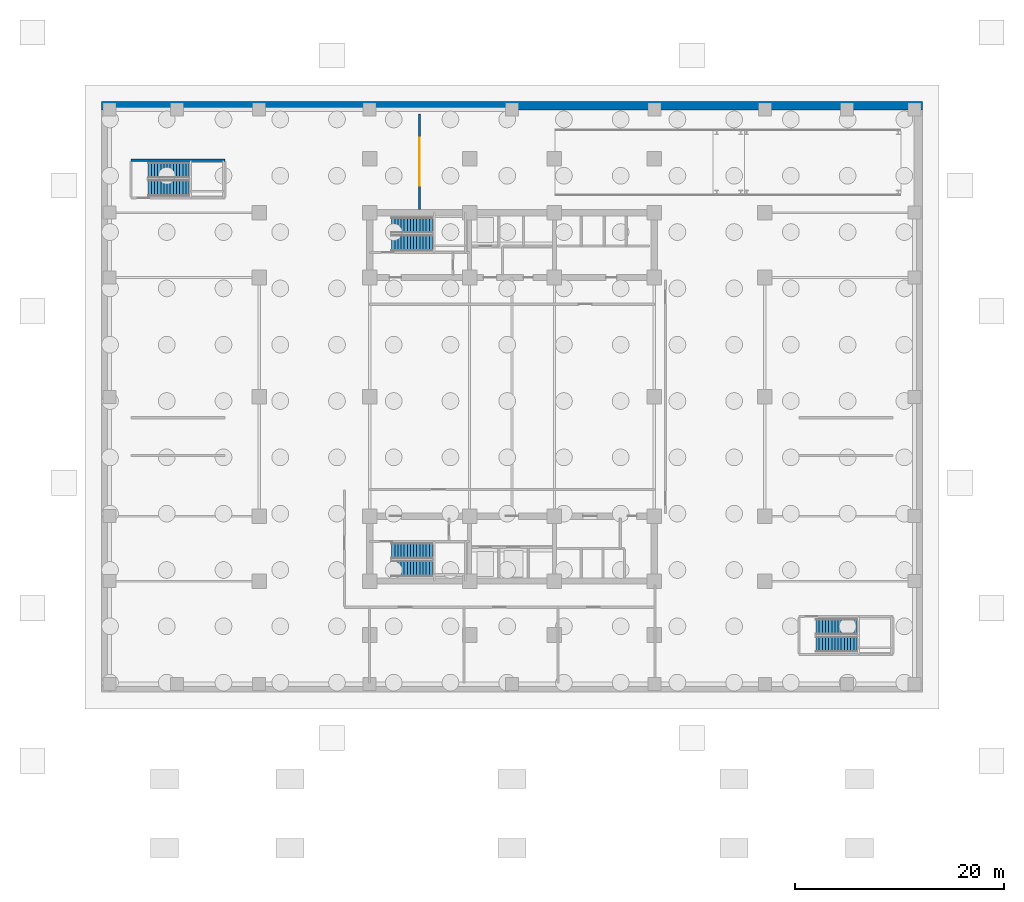
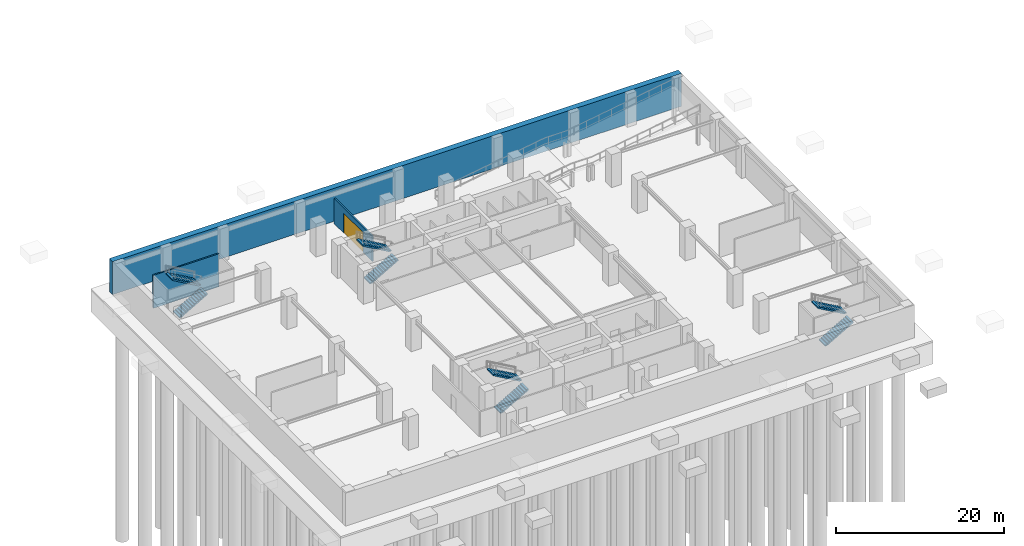
# One storey, part 9 of 13: 8 stair flights, 3 walls, 1 door, 1 opening, 4 elements without a shape of their own.
"""IFC4 building model written with IfcOpenShell, lengths in metres."""

from ifc_helpers import new_model, si_unit, direction, frame, frame_2d, origin, place, context, subcontext, project, spatial, polyline, rectangle, outline, extrude, material, layer, layer_set, type_object, element, fill, aggregate, save


model = new_model("IFC4")

# Units and contexts
model_context = context("Model", 3, precision=1e-05, world=origin(), true_north=direction((0.0, 1.0)))
body_context = subcontext(model_context, "Body", "Model", "MODEL_VIEW")
ifc_project = project(units=[si_unit("LENGTHUNIT", "METRE"), si_unit("AREAUNIT", "SQUARE_METRE"), si_unit("VOLUMEUNIT", "CUBIC_METRE"), si_unit("PLANEANGLEUNIT", "RADIAN"), si_unit("MASSUNIT", "GRAM", prefix="KILO")], contexts=[model_context])

# Site, building, storey
site_placement = place(None, origin())
site = spatial("IfcSite", under=ifc_project, at=site_placement, CompositionType="ELEMENT")
building_placement = place(site_placement, origin())
building = spatial("IfcBuilding", under=site, at=building_placement, Name="Svetorya Sky Lyceum", CompositionType="ELEMENT")
storey_placement = place(building_placement, frame((0.0, 0.0, -4.800048828125)))
storey = spatial("IfcBuildingStorey", under=building, at=storey_placement, Name="B01", CompositionType="ELEMENT", Elevation=-4.800048828125)

# Wall
ifc_material_1 = material(Name="Concrete C50/60", Category="concrete")
ifc_layer_1 = layer(ifc_material_1, 0.800048828125)
ifc_layer_set_1 = layer_set([ifc_layer_1], Name="Concrete C50/60")
wall_type_1 = type_object("IfcWallType", Name="WL-DIAPH-800", PredefinedType="USERDEFINED", material=ifc_layer_set_1)
wall_1_placement = place(storey_placement, frame((78.39990234375, 56.0, 0.0), z_axis=(0.0, 0.0, 1.0), x_axis=(-1.0, 0.0, 0.0)))
element("IfcWall", 1, at=wall_1_placement, inside=storey, type_object=wall_type_1, Name="Basement Diaphragm Wall N", ObjectType="RETAININGWALL", PredefinedType="USERDEFINED", context=body_context, shape_type="SweptSolid", body=[
    extrude(rectangle(XDim=78.39990234375, YDim=0.800048828125, at=frame_2d((39.199951171875, 0.0))), origin(), (0.0, 0.0, 1.0), 4.800048828125),
])

# Wall, opening, door
ifc_material_2 = material(Name="Autoclaved cellular masonry blockwork with gypsum plaster", Category="masonry")
ifc_layer_2 = layer(ifc_material_2, 0.199951171875)
ifc_layer_set_2 = layer_set([ifc_layer_2], Name="Autoclaved cellular masonry blockwork with gypsum plaster")
wall_type_2 = type_object("IfcWallType", Name="WL-PART-200", PredefinedType="PARTITIONING", material=ifc_layer_set_2)
wall_2_placement = place(storey_placement, frame((30.375, 46.10009765625, 0.0), z_axis=(0.0, 0.0, 1.0), x_axis=(0.0, 1.0, 0.0)))
wall_2 = element("IfcWall", 2, at=wall_2_placement, inside=storey, type_object=wall_type_2, Name="B01 Interior Partition B01-VG-PORTAL", PredefinedType="PARTITIONING", context=body_context, shape_type="SweptSolid", body=[
    extrude(rectangle(XDim=9.099853515625, YDim=0.199951171875, at=frame_2d((4.5498046875, 0.0))), origin(), (0.0, 0.0, 1.0), 3.670166015625),
])
opening_placement = place(wall_2_placement, frame((2.25, 0.0, 0.0)))
opening = element("IfcOpeningElement", 3, at=opening_placement, cuts=wall_2, Name="Opening VG-01", PredefinedType="OPENING", context=body_context, shape_type="SweptSolid", body=[
    extrude(rectangle(XDim=4.60009765625, YDim=2.89990234375, at=frame_2d((2.300048828125, 1.449951171875))), frame((0.0, 0.10986328125, 0.0), z_axis=(0.0, -1.0, 0.0), x_axis=(1.0, 0.0, 0.0)), (0.0, 0.0, 1.0), 0.219970703125),
])
ifc_material_3 = material(Name="Insulated galvanized steel vehicle roller shutter", Category="steel")
door_type = type_object("IfcDoorType", Name="DR-VEH-4600", OperationType="ROLLINGUP", PredefinedType="GATE", material=ifc_material_3)
door_placement = place(opening_placement, origin())
door = element("IfcDoor", 4, at=door_placement, inside=storey, type_object=door_type, Name="Basement Car Park Vehicle Shutter Gate VG-01", OperationType="ROLLINGUP", OverallHeight=2.89990234375, OverallWidth=4.60009765625, PredefinedType="GATE", context=body_context, shape_type="SweptSolid", body=[
    extrude(rectangle(XDim=4.60009765625, YDim=2.89990234375, at=frame_2d((2.300048828125, 1.449951171875))), frame((0.0, 0.02490234375, 0.0), z_axis=(0.0, -1.0, 0.0), x_axis=(1.0, 0.0, 0.0)), (0.0, 0.0, 1.0), 0.050048828125),
])
fill(opening, door)

# Wall
ifc_layer_3 = layer(ifc_material_1, 0.199951171875)
ifc_layer_set_3 = layer_set([ifc_layer_3], Name="Concrete C50/60")
wall_type_3 = type_object("IfcWallType", Name="WL-SHW-200", PredefinedType="SHEAR", material=ifc_layer_set_3)
wall_3_placement = place(storey_placement, frame((11.800048828125, 50.800048828125, 0.0), z_axis=(0.0, 0.0, 1.0), x_axis=(-1.0, 0.0, 0.0)))
element("IfcWall", 5, at=wall_3_placement, inside=storey, type_object=wall_type_3, Name="B01 Structural Stair Shaft Wall STB-N-B1", PredefinedType="SHEAR", context=body_context, shape_type="SweptSolid", body=[
    extrude(rectangle(XDim=9.0, YDim=0.199951171875, at=frame_2d((4.5, 0.0))), origin(), (0.0, 0.0, 1.0), 4.800048828125),
])

# Stair, stair flights
ifc_material_4 = material(Name="Concrete C40/50", Category="concrete")
stair_type_1 = type_object("IfcStairType", Name="STR-ST-B1", PredefinedType="HALF_TURN_STAIR", material=ifc_material_4)
stair_1_placement = place(storey_placement, origin())
stair_1 = element("IfcStair", 6, at=stair_1_placement, inside=storey, type_object=stair_type_1, Name="B01 West Basement Dedicated Exit Stair", PredefinedType="HALF_TURN_STAIR")
stair_flight_type_1 = type_object("IfcStairFlightType", Name="SFL-ST-B1", PredefinedType="STRAIGHT", material=ifc_material_4)
stair_flight_1_placement = place(storey_placement, frame((4.449951171875, 48.14990234375, 0.0), z_axis=(0.0, 0.0, 1.0), x_axis=(1.0, 0.0, 0.0)))
stair_flight_1 = element("IfcStairFlight", 7, at=stair_flight_1_placement, type_object=stair_flight_type_1, Name="ST-B1 flight 1", NumberOfRisers=14, NumberOfTreads=13, PredefinedType="STRAIGHT", RiserHeight=0.171428571, TreadLength=0.3, context=body_context, shape_type="SweptSolid", body=[
    extrude(outline(polyline([(0.0, 0.0), (0.0, 0.17138671875), (0.300048828125, 0.17138671875), (0.300048828125, 0.3427734375), (0.60009765625, 0.3427734375), (0.60009765625, 0.514404296875), (0.89990234375, 0.514404296875), (0.89990234375, 0.685791015625), (1.199951171875, 0.685791015625), (1.199951171875, 0.857177734375), (1.5, 0.857177734375), (1.5, 1.028564453125), (1.800048828125, 1.028564453125), (1.800048828125, 1.199951171875), (2.10009765625, 1.199951171875), (2.10009765625, 1.371337890625), (2.39990234375, 1.371337890625), (2.39990234375, 1.54296875), (2.699951171875, 1.54296875), (2.699951171875, 1.71435546875), (3.0, 1.71435546875), (3.0, 1.8857421875), (3.300048828125, 1.8857421875), (3.300048828125, 2.05712890625), (3.60009765625, 2.05712890625), (3.60009765625, 2.228515625), (3.89990234375, 2.228515625), (3.89990234375, 2.39990234375), (3.89990234375, 2.055908203125), (0.30224609375, 0.0), (0.0, 0.0)])), frame((0.0, 0.75, 0.0), z_axis=(0.0, -1.0, 0.0), x_axis=(1.0, 0.0, 0.0)), (0.0, 0.0, 1.0), 1.5),
])
stair_flight_2_placement = place(storey_placement, frame((8.35009765625, 49.85009765625, 2.400146484375), z_axis=(0.0, 0.0, 1.0), x_axis=(-1.0, 0.0, 0.0)))
stair_flight_2 = element("IfcStairFlight", 8, at=stair_flight_2_placement, type_object=stair_flight_type_1, Name="ST-B1 flight 2", NumberOfRisers=14, NumberOfTreads=13, PredefinedType="STRAIGHT", RiserHeight=0.171428571, TreadLength=0.3, context=body_context, shape_type="SweptSolid", body=[
    extrude(outline(polyline([(0.0, 0.0), (0.0, 0.17138671875), (0.300048828125, 0.17138671875), (0.300048828125, 0.3427734375), (0.60009765625, 0.3427734375), (0.60009765625, 0.514404296875), (0.89990234375, 0.514404296875), (0.89990234375, 0.685791015625), (1.199951171875, 0.685791015625), (1.199951171875, 0.857177734375), (1.5, 0.857177734375), (1.5, 1.028564453125), (1.800048828125, 1.028564453125), (1.800048828125, 1.199951171875), (2.10009765625, 1.199951171875), (2.10009765625, 1.371337890625), (2.39990234375, 1.371337890625), (2.39990234375, 1.54296875), (2.699951171875, 1.54296875), (2.699951171875, 1.71435546875), (3.0, 1.71435546875), (3.0, 1.8857421875), (3.300048828125, 1.8857421875), (3.300048828125, 2.05712890625), (3.60009765625, 2.05712890625), (3.60009765625, 2.228515625), (3.89990234375, 2.228515625), (3.89990234375, 2.39990234375), (3.89990234375, 2.055908203125), (0.30224609375, 0.0), (0.0, 0.0)])), frame((0.0, 0.75, 0.0), z_axis=(0.0, -1.0, 0.0), x_axis=(1.0, 0.0, 0.0)), (0.0, 0.0, 1.0), 1.5),
])
aggregate(stair_1, [stair_flight_1, stair_flight_2])

stair_type_2 = type_object("IfcStairType", Name="STR-ST-B2", PredefinedType="HALF_TURN_STAIR", material=ifc_material_4)
stair_2_placement = place(storey_placement, origin())
stair_2 = element("IfcStair", 9, at=stair_2_placement, inside=storey, type_object=stair_type_2, Name="B01 East Basement Dedicated Exit Stair", PredefinedType="HALF_TURN_STAIR")
stair_flight_type_2 = type_object("IfcStairFlightType", Name="SFL-ST-B2", PredefinedType="STRAIGHT", material=ifc_material_4)
stair_flight_3_placement = place(storey_placement, frame((68.25, 4.550048828125, 0.0), z_axis=(0.0, 0.0, 1.0), x_axis=(1.0, 0.0, 0.0)))
stair_flight_3 = element("IfcStairFlight", 10, at=stair_flight_3_placement, type_object=stair_flight_type_2, Name="ST-B2 flight 1", NumberOfRisers=14, NumberOfTreads=13, PredefinedType="STRAIGHT", RiserHeight=0.171428571, TreadLength=0.3, context=body_context, shape_type="SweptSolid", body=[
    extrude(outline(polyline([(0.0, 0.0), (0.0, 0.17138671875), (0.300048828125, 0.17138671875), (0.300048828125, 0.3427734375), (0.60009765625, 0.3427734375), (0.60009765625, 0.514404296875), (0.89990234375, 0.514404296875), (0.89990234375, 0.685791015625), (1.199951171875, 0.685791015625), (1.199951171875, 0.857177734375), (1.5, 0.857177734375), (1.5, 1.028564453125), (1.800048828125, 1.028564453125), (1.800048828125, 1.199951171875), (2.10009765625, 1.199951171875), (2.10009765625, 1.371337890625), (2.39990234375, 1.371337890625), (2.39990234375, 1.54296875), (2.699951171875, 1.54296875), (2.699951171875, 1.71435546875), (3.0, 1.71435546875), (3.0, 1.8857421875), (3.300048828125, 1.8857421875), (3.300048828125, 2.05712890625), (3.60009765625, 2.05712890625), (3.60009765625, 2.228515625), (3.89990234375, 2.228515625), (3.89990234375, 2.39990234375), (3.89990234375, 2.055908203125), (0.30224609375, 0.0), (0.0, 0.0)])), frame((0.0, 0.75, 0.0), z_axis=(0.0, -1.0, 0.0), x_axis=(1.0, 0.0, 0.0)), (0.0, 0.0, 1.0), 1.5),
])
stair_flight_4_placement = place(storey_placement, frame((72.14990234375, 6.25, 2.400146484375), z_axis=(0.0, 0.0, 1.0), x_axis=(-1.0, 0.0, 0.0)))
stair_flight_4 = element("IfcStairFlight", 11, at=stair_flight_4_placement, type_object=stair_flight_type_2, Name="ST-B2 flight 2", NumberOfRisers=14, NumberOfTreads=13, PredefinedType="STRAIGHT", RiserHeight=0.171428571, TreadLength=0.3, context=body_context, shape_type="SweptSolid", body=[
    extrude(outline(polyline([(0.0, 0.0), (0.0, 0.17138671875), (0.300048828125, 0.17138671875), (0.300048828125, 0.3427734375), (0.60009765625, 0.3427734375), (0.60009765625, 0.514404296875), (0.89990234375, 0.514404296875), (0.89990234375, 0.685791015625), (1.199951171875, 0.685791015625), (1.199951171875, 0.857177734375), (1.5, 0.857177734375), (1.5, 1.028564453125), (1.800048828125, 1.028564453125), (1.800048828125, 1.199951171875), (2.10009765625, 1.199951171875), (2.10009765625, 1.371337890625), (2.39990234375, 1.371337890625), (2.39990234375, 1.54296875), (2.699951171875, 1.54296875), (2.699951171875, 1.71435546875), (3.0, 1.71435546875), (3.0, 1.8857421875), (3.300048828125, 1.8857421875), (3.300048828125, 2.05712890625), (3.60009765625, 2.05712890625), (3.60009765625, 2.228515625), (3.89990234375, 2.228515625), (3.89990234375, 2.39990234375), (3.89990234375, 2.055908203125), (0.30224609375, 0.0), (0.0, 0.0)])), frame((0.0, 0.75, 0.0), z_axis=(0.0, -1.0, 0.0), x_axis=(1.0, 0.0, 0.0)), (0.0, 0.0, 1.0), 1.5),
])
aggregate(stair_2, [stair_flight_3, stair_flight_4])

stair_type_3 = type_object("IfcStairType", Name="STR-ST-N", PredefinedType="HALF_TURN_STAIR", material=ifc_material_4)
stair_3_placement = place(storey_placement, origin())
stair_3 = element("IfcStair", 12, at=stair_3_placement, inside=storey, type_object=stair_type_3, Name="B01 North Core Smoke-Free Exit Stair N3", PredefinedType="HALF_TURN_STAIR")
stair_flight_type_3 = type_object("IfcStairFlightType", Name="SFL-ST-N", PredefinedType="STRAIGHT", material=ifc_material_4)
stair_flight_5_placement = place(storey_placement, frame((27.699951171875, 42.89990234375, 0.0), z_axis=(0.0, 0.0, 1.0), x_axis=(1.0, 0.0, 0.0)))
stair_flight_5 = element("IfcStairFlight", 13, at=stair_flight_5_placement, type_object=stair_flight_type_3, Name="ST-N flight 1", NumberOfRisers=14, NumberOfTreads=13, PredefinedType="STRAIGHT", RiserHeight=0.171428571, TreadLength=0.3, context=body_context, shape_type="SweptSolid", body=[
    extrude(outline(polyline([(0.0, 0.0), (0.0, 0.17138671875), (0.300048828125, 0.17138671875), (0.300048828125, 0.3427734375), (0.60009765625, 0.3427734375), (0.60009765625, 0.514404296875), (0.89990234375, 0.514404296875), (0.89990234375, 0.685791015625), (1.199951171875, 0.685791015625), (1.199951171875, 0.857177734375), (1.5, 0.857177734375), (1.5, 1.028564453125), (1.800048828125, 1.028564453125), (1.800048828125, 1.199951171875), (2.10009765625, 1.199951171875), (2.10009765625, 1.371337890625), (2.39990234375, 1.371337890625), (2.39990234375, 1.54296875), (2.699951171875, 1.54296875), (2.699951171875, 1.71435546875), (3.0, 1.71435546875), (3.0, 1.8857421875), (3.300048828125, 1.8857421875), (3.300048828125, 2.05712890625), (3.60009765625, 2.05712890625), (3.60009765625, 2.228515625), (3.89990234375, 2.228515625), (3.89990234375, 2.39990234375), (3.89990234375, 2.055908203125), (0.30224609375, 0.0), (0.0, 0.0)])), frame((0.0, 0.75, 0.0), z_axis=(0.0, -1.0, 0.0), x_axis=(1.0, 0.0, 0.0)), (0.0, 0.0, 1.0), 1.5),
])
stair_flight_6_placement = place(storey_placement, frame((31.60009765625, 44.60009765625, 2.400146484375), z_axis=(0.0, 0.0, 1.0), x_axis=(-1.0, 0.0, 0.0)))
stair_flight_6 = element("IfcStairFlight", 14, at=stair_flight_6_placement, type_object=stair_flight_type_3, Name="ST-N flight 2", NumberOfRisers=14, NumberOfTreads=13, PredefinedType="STRAIGHT", RiserHeight=0.171428571, TreadLength=0.3, context=body_context, shape_type="SweptSolid", body=[
    extrude(outline(polyline([(0.0, 0.0), (0.0, 0.17138671875), (0.300048828125, 0.17138671875), (0.300048828125, 0.3427734375), (0.60009765625, 0.3427734375), (0.60009765625, 0.514404296875), (0.89990234375, 0.514404296875), (0.89990234375, 0.685791015625), (1.199951171875, 0.685791015625), (1.199951171875, 0.857177734375), (1.5, 0.857177734375), (1.5, 1.028564453125), (1.800048828125, 1.028564453125), (1.800048828125, 1.199951171875), (2.10009765625, 1.199951171875), (2.10009765625, 1.371337890625), (2.39990234375, 1.371337890625), (2.39990234375, 1.54296875), (2.699951171875, 1.54296875), (2.699951171875, 1.71435546875), (3.0, 1.71435546875), (3.0, 1.8857421875), (3.300048828125, 1.8857421875), (3.300048828125, 2.05712890625), (3.60009765625, 2.05712890625), (3.60009765625, 2.228515625), (3.89990234375, 2.228515625), (3.89990234375, 2.39990234375), (3.89990234375, 2.055908203125), (0.30224609375, 0.0), (0.0, 0.0)])), frame((0.0, 0.75, 0.0), z_axis=(0.0, -1.0, 0.0), x_axis=(1.0, 0.0, 0.0)), (0.0, 0.0, 1.0), 1.5),
])
aggregate(stair_3, [stair_flight_5, stair_flight_6])

stair_type_4 = type_object("IfcStairType", Name="STR-ST-S", PredefinedType="HALF_TURN_STAIR", material=ifc_material_4)
stair_4_placement = place(storey_placement, origin())
stair_4 = element("IfcStair", 15, at=stair_4_placement, inside=storey, type_object=stair_type_4, Name="B01 South Core Smoke-Free Exit Stair N2", PredefinedType="HALF_TURN_STAIR")
stair_flight_type_4 = type_object("IfcStairFlightType", Name="SFL-ST-S", PredefinedType="STRAIGHT", material=ifc_material_4)
stair_flight_7_placement = place(storey_placement, frame((27.699951171875, 11.800048828125, 0.0), z_axis=(0.0, 0.0, 1.0), x_axis=(1.0, 0.0, 0.0)))
stair_flight_7 = element("IfcStairFlight", 16, at=stair_flight_7_placement, type_object=stair_flight_type_4, Name="ST-S flight 1", NumberOfRisers=14, NumberOfTreads=13, PredefinedType="STRAIGHT", RiserHeight=0.171428571, TreadLength=0.3, context=body_context, shape_type="SweptSolid", body=[
    extrude(outline(polyline([(0.0, 0.0), (0.0, 0.17138671875), (0.300048828125, 0.17138671875), (0.300048828125, 0.3427734375), (0.60009765625, 0.3427734375), (0.60009765625, 0.514404296875), (0.89990234375, 0.514404296875), (0.89990234375, 0.685791015625), (1.199951171875, 0.685791015625), (1.199951171875, 0.857177734375), (1.5, 0.857177734375), (1.5, 1.028564453125), (1.800048828125, 1.028564453125), (1.800048828125, 1.199951171875), (2.10009765625, 1.199951171875), (2.10009765625, 1.371337890625), (2.39990234375, 1.371337890625), (2.39990234375, 1.54296875), (2.699951171875, 1.54296875), (2.699951171875, 1.71435546875), (3.0, 1.71435546875), (3.0, 1.8857421875), (3.300048828125, 1.8857421875), (3.300048828125, 2.05712890625), (3.60009765625, 2.05712890625), (3.60009765625, 2.228515625), (3.89990234375, 2.228515625), (3.89990234375, 2.39990234375), (3.89990234375, 2.055908203125), (0.30224609375, 0.0), (0.0, 0.0)])), frame((0.0, 0.75, 0.0), z_axis=(0.0, -1.0, 0.0), x_axis=(1.0, 0.0, 0.0)), (0.0, 0.0, 1.0), 1.5),
])
stair_flight_8_placement = place(storey_placement, frame((31.60009765625, 13.5, 2.400146484375), z_axis=(0.0, 0.0, 1.0), x_axis=(-1.0, 0.0, 0.0)))
stair_flight_8 = element("IfcStairFlight", 17, at=stair_flight_8_placement, type_object=stair_flight_type_4, Name="ST-S flight 2", NumberOfRisers=14, NumberOfTreads=13, PredefinedType="STRAIGHT", RiserHeight=0.171428571, TreadLength=0.3, context=body_context, shape_type="SweptSolid", body=[
    extrude(outline(polyline([(0.0, 0.0), (0.0, 0.17138671875), (0.300048828125, 0.17138671875), (0.300048828125, 0.3427734375), (0.60009765625, 0.3427734375), (0.60009765625, 0.514404296875), (0.89990234375, 0.514404296875), (0.89990234375, 0.685791015625), (1.199951171875, 0.685791015625), (1.199951171875, 0.857177734375), (1.5, 0.857177734375), (1.5, 1.028564453125), (1.800048828125, 1.028564453125), (1.800048828125, 1.199951171875), (2.10009765625, 1.199951171875), (2.10009765625, 1.371337890625), (2.39990234375, 1.371337890625), (2.39990234375, 1.54296875), (2.699951171875, 1.54296875), (2.699951171875, 1.71435546875), (3.0, 1.71435546875), (3.0, 1.8857421875), (3.300048828125, 1.8857421875), (3.300048828125, 2.05712890625), (3.60009765625, 2.05712890625), (3.60009765625, 2.228515625), (3.89990234375, 2.228515625), (3.89990234375, 2.39990234375), (3.89990234375, 2.055908203125), (0.30224609375, 0.0), (0.0, 0.0)])), frame((0.0, 0.75, 0.0), z_axis=(0.0, -1.0, 0.0), x_axis=(1.0, 0.0, 0.0)), (0.0, 0.0, 1.0), 1.5),
])
aggregate(stair_4, [stair_flight_7, stair_flight_8])

save(model, "model.ifc")
